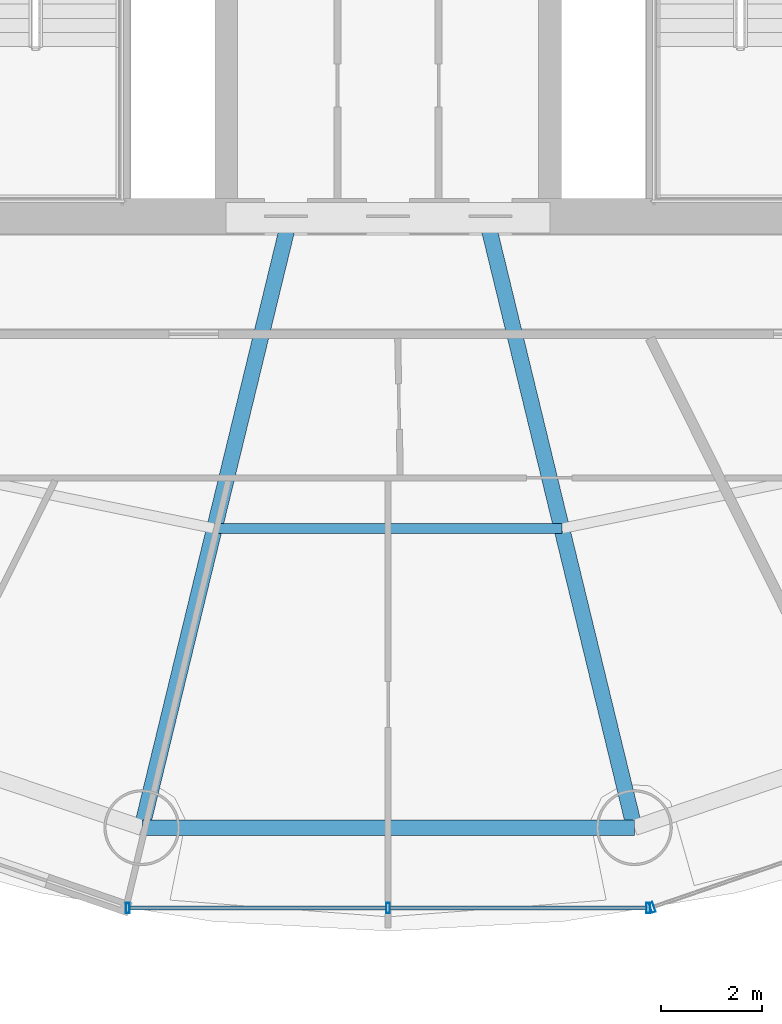
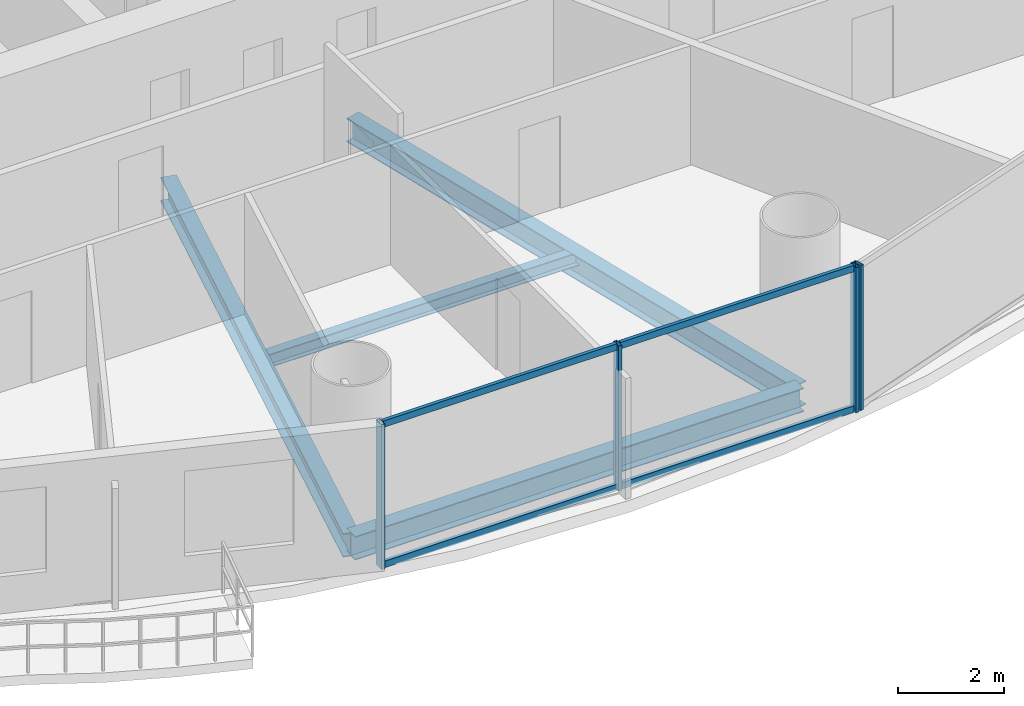
# One storey, part 4 of 28: 8 members, 4 beams, 2 elements without a shape of their own.
"""IFC4 building model written with IfcOpenShell, lengths in metres."""

from ifc_helpers import new_model, si_unit, direction, frame, origin, origin_2d, place, context, subcontext, project, spatial, hollow_rectangle, i_section, extrude, source, transform, mapped, material, material_profile, profile_set, type_object, element, aggregate, save


model = new_model("IFC4")

# Units and contexts
model_context = context("Model", 3, precision=1e-05, world=origin(), true_north=direction((-0.2419218956, 0.970295726276)))
body_context = subcontext(model_context, "Body", "Model", "MODEL_VIEW")
ifc_project = project(units=[si_unit("LENGTHUNIT", "METRE"), si_unit("AREAUNIT", "SQUARE_METRE"), si_unit("VOLUMEUNIT", "CUBIC_METRE"), si_unit("PLANEANGLEUNIT", "RADIAN"), si_unit("MASSUNIT", "GRAM", prefix="KILO")], contexts=[model_context])

# Site, building, storey
site_placement = place(None, origin())
site = spatial("IfcSite", under=ifc_project, at=site_placement, CompositionType="ELEMENT")
building_placement = place(site_placement, origin())
building = spatial("IfcBuilding", under=site, at=building_placement, Name="Cobrevalo Terracotta Tower", CompositionType="ELEMENT")
storey_placement = place(building_placement, frame((0.0, 0.0, 101.39990234375)))
storey = spatial("IfcBuildingStorey", under=building, at=storey_placement, Name="L26", CompositionType="ELEMENT", Elevation=101.39990234375)

# Beams
ifc_material_1 = material(Name="Steel S355", Category="steel")
ifc_material_profile_1 = material_profile(ifc_material_1, i_section(OverallWidth=0.31201171875, OverallDepth=0.54296875, WebThickness=0.0126953125, FlangeThickness=0.020263671875, at=origin_2d()), Name="W 530x150")
ifc_profile_set_1 = profile_set([ifc_material_profile_1], Name="Steel S355")
beam_type_1 = type_object("IfcBeamType", Name="Structural Beam W 530x150 (Steel S355)", PredefinedType="BEAM", material=ifc_profile_set_1)
for number, where, z_axis, x_axis, name in (
    (1, (33.132568359375, 6.742919921875, -0.54638671875), (0.235827379387, 0.971794961467, 0.0), (-0.971794961467, 0.235827379387, 0.0), "L26 radial floor girder 12"),
    (2, (42.867431640625, 6.742919921875, -0.54638671875), (-0.235827379387, 0.971794961467, 0.0), (-0.971794961467, -0.235827379387, 0.0), "L26 radial floor girder 13"),
):
    element("IfcBeam", number, at=place(storey_placement, frame(where, z_axis=z_axis, x_axis=x_axis)), inside=storey, type_object=beam_type_1, Name=name, PredefinedType="BEAM", context=body_context, shape_type="SweptSolid", body=[
        extrude(i_section(OverallWidth=0.31201171875, OverallDepth=0.54296875, WebThickness=0.0126953125, FlangeThickness=0.020263671875, at=origin_2d()), origin(), (0.0, 0.0, 1.0), 12.17041015625),
    ])
ifc_material_profile_2 = material_profile(ifc_material_1, i_section(OverallWidth=0.2041015625, OverallDepth=0.305908203125, WebThickness=0.008544921875, FlangeThickness=0.0146484375, at=origin_2d()), Name="W 310x67")
ifc_profile_set_2 = profile_set([ifc_material_profile_2], Name="Steel S355")
beam_type_2 = type_object("IfcBeamType", Name="Structural Joist W 310x67 (Steel S355)", PredefinedType="JOIST", material=ifc_profile_set_2)
beam_1_placement = place(storey_placement, frame((34.567626953125, 12.656494140625, -0.427978515625), z_axis=(1.0, 0.0, 0.0), x_axis=(0.0, 1.0, 0.0)))
element("IfcBeam", 3, at=beam_1_placement, inside=storey, type_object=beam_type_2, Name="L26 circumferential secondary floor joist 12", PredefinedType="JOIST", context=body_context, shape_type="SweptSolid", body=[
    extrude(i_section(OverallWidth=0.2041015625, OverallDepth=0.305908203125, WebThickness=0.008544921875, FlangeThickness=0.0146484375, at=origin_2d()), origin(), (0.0, 0.0, 1.0), 6.86474609375),
])
ifc_material_profile_3 = material_profile(ifc_material_1, i_section(OverallWidth=0.31201171875, OverallDepth=0.54296875, WebThickness=0.0126953125, FlangeThickness=0.020263671875, at=origin_2d()), Name="W 530x150")
ifc_profile_set_3 = profile_set([ifc_material_profile_3], Name="Steel S355")
beam_type_3 = type_object("IfcBeamType", Name="Structural Spandrel W 530x150 (Steel S355)", PredefinedType="SPANDREL", material=ifc_profile_set_3)
beam_2_placement = place(storey_placement, frame((33.132568359375, 6.742919921875, -0.54638671875), z_axis=(1.0, 0.0, 0.0), x_axis=(0.0, 1.0, 0.0)))
element("IfcBeam", 4, at=beam_2_placement, inside=storey, type_object=beam_type_3, Name="L26 perimeter ring spandrel 12", PredefinedType="SPANDREL", context=body_context, shape_type="SweptSolid", body=[
    extrude(i_section(OverallWidth=0.31201171875, OverallDepth=0.54296875, WebThickness=0.0126953125, FlangeThickness=0.020263671875, at=origin_2d()), origin(), (0.0, 0.0, 1.0), 9.73486328125),
])

# Curtain wall, members
ifc_material_2 = material(Name="Anodized aluminium", Category="aluminium")
curtain_wall_type = type_object("IfcCurtainWallType", Name="Lower-tower unitised acoustic low-E curtain wall CW-U1", PredefinedType="NOTDEFINED", material=ifc_material_2)
curtain_wall_1_placement = place(storey_placement, origin())
curtain_wall_1 = element("IfcCurtainWall", 5, at=curtain_wall_1_placement, inside=storey, type_object=curtain_wall_type, Name="L26 curtain wall CW-L26-S12", PredefinedType="NOTDEFINED")
ifc_material_profile_4 = material_profile(ifc_material_2, hollow_rectangle(XDim=0.074951171875, YDim=0.14990234375, WallThickness=0.00439453125, at=origin_2d()), Name="CWT 75x150")
ifc_profile_set_4 = profile_set([ifc_material_profile_4], Name="Anodized aluminium")
member_type_1 = type_object("IfcMemberType", Name="Tower unitised aluminium transom 75x150", PredefinedType="USERDEFINED", material=ifc_profile_set_4)
shared_shape_1 = source(origin(), body_context, "Body", "SweptSolid", [
    extrude(hollow_rectangle(XDim=0.074951171875, YDim=0.14990234375, WallThickness=0.00439453125, at=origin_2d()), origin(), (0.0, 0.0, 1.0), 5.0634765625),
])
member_1_placement = place(storey_placement, frame((32.896484375, 5.154052734375, 0.050048828125), z_axis=(1.0, 0.0, 0.0), x_axis=(0.0, 1.0, 0.0)))
member_1 = element("IfcMember", 6, at=member_1_placement, type_object=member_type_1, Name="CW-L26-S12 transom B01-T1", ObjectType="TRANSOM", PredefinedType="USERDEFINED", context=body_context, shape_type="MappedRepresentation", body=[
    mapped(shared_shape_1, transform((0.0, 0.0, 0.0), scale=1.0)),
])
member_2_placement = place(storey_placement, frame((32.896484375, 5.154052734375, 3.275146484375), z_axis=(1.0, 0.0, 0.0), x_axis=(0.0, 1.0, 0.0)))
member_2 = element("IfcMember", 7, at=member_2_placement, type_object=member_type_1, Name="CW-L26-S12 transom B01-T2", ObjectType="TRANSOM", PredefinedType="USERDEFINED", context=body_context, shape_type="MappedRepresentation", body=[
    mapped(shared_shape_1, transform((0.0, 0.0, 0.0), scale=1.0)),
])
member_3_placement = place(storey_placement, frame((38.0400390625, 5.154052734375, 0.050048828125), z_axis=(1.0, 0.0, 0.0), x_axis=(0.0, 1.0, 0.0)))
member_3 = element("IfcMember", 8, at=member_3_placement, type_object=member_type_1, Name="CW-L26-S12 transom B02-T1", ObjectType="TRANSOM", PredefinedType="USERDEFINED", context=body_context, shape_type="MappedRepresentation", body=[
    mapped(shared_shape_1, transform((0.0, 0.0, 0.0), scale=1.0)),
])
member_4_placement = place(storey_placement, frame((38.0400390625, 5.154052734375, 3.275146484375), z_axis=(1.0, 0.0, 0.0), x_axis=(0.0, 1.0, 0.0)))
member_4 = element("IfcMember", 9, at=member_4_placement, type_object=member_type_1, Name="CW-L26-S12 transom B02-T2", ObjectType="TRANSOM", PredefinedType="USERDEFINED", context=body_context, shape_type="MappedRepresentation", body=[
    mapped(shared_shape_1, transform((0.0, 0.0, 0.0), scale=1.0)),
])
ifc_material_profile_5 = material_profile(ifc_material_2, hollow_rectangle(XDim=0.074951171875, YDim=0.199951171875, WallThickness=0.0048828125, at=origin_2d()), Name="CWM 75x200")
ifc_profile_set_5 = profile_set([ifc_material_profile_5], Name="Anodized aluminium")
member_type_2 = type_object("IfcMemberType", Name="Lower/mid tower unitised mullion 75x200", PredefinedType="MULLION", material=ifc_profile_set_5)
shared_shape_2 = source(origin(), body_context, "Body", "SweptSolid", [
    extrude(hollow_rectangle(XDim=0.074951171875, YDim=0.199951171875, WallThickness=0.0048828125, at=origin_2d()), origin(), (0.0, 0.0, 1.0), 3.3251953125),
])
member_5_placement = place(storey_placement, frame((32.8564453125, 5.154052734375, 0.0), z_axis=(0.0, 0.0, 1.0), x_axis=(1.0, 0.0, 0.0)))
member_5 = element("IfcMember", 10, at=member_5_placement, type_object=member_type_2, Name="CW-L26-S12 vertical mullion 01", PredefinedType="MULLION", context=body_context, shape_type="MappedRepresentation", body=[
    mapped(shared_shape_2, transform((0.0, 0.0, 0.0), scale=1.0)),
])
member_6_placement = place(storey_placement, frame((38.0, 5.154052734375, 0.0), z_axis=(0.0, 0.0, 1.0), x_axis=(1.0, 0.0, 0.0)))
member_6 = element("IfcMember", 11, at=member_6_placement, type_object=member_type_2, Name="CW-L26-S12 vertical mullion 02", PredefinedType="MULLION", context=body_context, shape_type="MappedRepresentation", body=[
    mapped(shared_shape_2, transform((0.0, 0.0, 0.0), scale=1.0)),
])
member_7_placement = place(storey_placement, frame((43.1435546875, 5.154052734375, 0.0), z_axis=(0.0, 0.0, 1.0), x_axis=(1.0, 0.0, 0.0)))
member_7 = element("IfcMember", 12, at=member_7_placement, type_object=member_type_2, Name="CW-L26-S12 vertical mullion 03", PredefinedType="MULLION", context=body_context, shape_type="MappedRepresentation", body=[
    mapped(shared_shape_2, transform((0.0, 0.0, 0.0), scale=1.0)),
])
aggregate(curtain_wall_1, [member_5, member_6, member_7, member_1, member_2, member_3, member_4])

# Curtain wall, member
curtain_wall_2_placement = place(storey_placement, origin())
curtain_wall_2 = element("IfcCurtainWall", 13, at=curtain_wall_2_placement, inside=storey, type_object=curtain_wall_type, Name="L26 curtain wall CW-L26-S13", PredefinedType="NOTDEFINED")
member_8_placement = place(storey_placement, frame((43.221435546875, 5.1669921875, 0.0), z_axis=(0.0, 0.0, 1.0), x_axis=(0.94559809868, 0.325337110968, 0.0)))
member_8 = element("IfcMember", 14, at=member_8_placement, type_object=member_type_2, Name="CW-L26-S13 vertical mullion 01", PredefinedType="MULLION", context=body_context, shape_type="MappedRepresentation", body=[
    mapped(shared_shape_2, transform((0.0, 0.0, 0.0), scale=1.0)),
])
aggregate(curtain_wall_2, [member_8])

save(model, "model.ifc")
